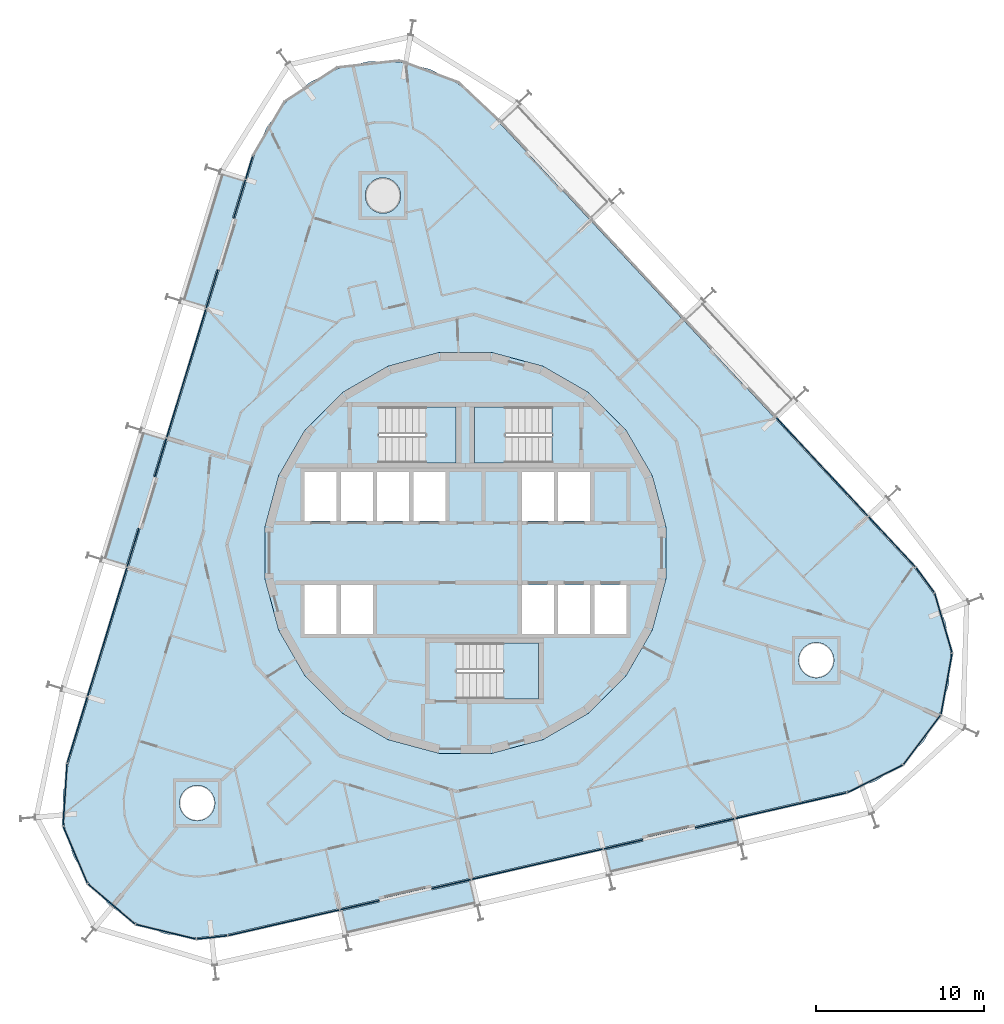
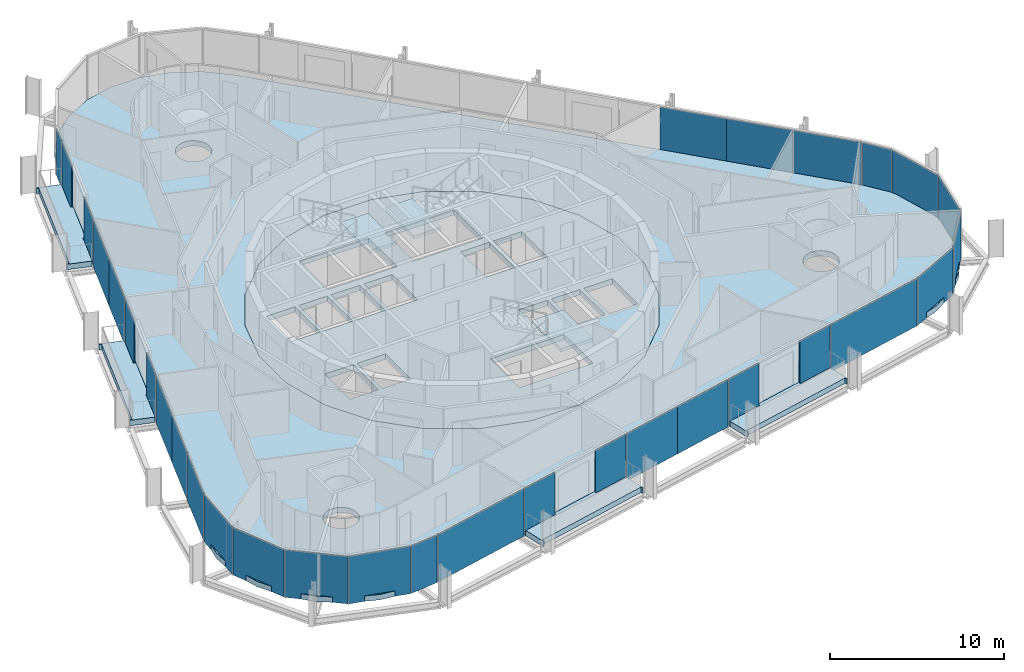
# One storey, part 10 of 18: 31 plates, 9 slabs, 9 elements without a shape of their own.
"""IFC4 building model written with IfcOpenShell, lengths in metres."""

from ifc_helpers import new_model, si_unit, direction, frame, origin, origin_2d, place, context, subcontext, project, spatial, polyline, rectangle, outline, extrude, material, layer, layer_set, type_object, element, aggregate, save


model = new_model("IFC4")

# Units and contexts
model_context = context("Model", 3, precision=1e-05, world=origin(), true_north=direction((0.0, 1.0)))
body_context = subcontext(model_context, "Body", "Model", "MODEL_VIEW")
ifc_project = project(units=[si_unit("LENGTHUNIT", "METRE"), si_unit("AREAUNIT", "SQUARE_METRE"), si_unit("VOLUMEUNIT", "CUBIC_METRE"), si_unit("PLANEANGLEUNIT", "RADIAN"), si_unit("MASSUNIT", "GRAM", prefix="KILO")], contexts=[model_context])

# Site, building, storey
site_placement = place(None, origin())
site = spatial("IfcSite", under=ifc_project, at=site_placement, CompositionType="ELEMENT")
building_placement = place(site_placement, origin())
building = spatial("IfcBuilding", under=site, at=building_placement, Name="Spindle Arch Residences", CompositionType="ELEMENT")
storey_placement = place(building_placement, frame((0.0, 0.0, 141.39990234375)))
storey = spatial("IfcBuildingStorey", under=building, at=storey_placement, Name="L35", CompositionType="ELEMENT", Elevation=141.39990234375)

# Slabs
ifc_material_1 = material(Name="Concrete C40/50", Category="concrete")
ifc_layer_1 = layer(ifc_material_1, 0.3798828125)
ifc_layer_set_1 = layer_set([ifc_layer_1], Name="Balcony slab 380")
slab_type_1 = type_object("IfcSlabType", Name="Balcony slab 380", PredefinedType="FLOOR", material=ifc_layer_set_1)
slab_1_placement = place(storey_placement, frame((0.0, 0.0, -0.3798828125)))
element("IfcSlab", 1, at=slab_1_placement, inside=storey, type_object=slab_type_1, Name="Balcony L35 bay 1", PredefinedType="FLOOR", context=body_context, shape_type="SweptSolid", body=[
    extrude(outline(polyline([(8.60546875, -19.094482421875), (8.678466796875, -19.07763671875), (8.644775390625, -18.931396484375), (16.17578125, -17.19287109375), (16.209716796875, -17.3388671875), (16.28271484375, -17.322021484375), (15.947509765625, -15.870361328125), (13.66796875, -16.396484375), (13.6318359375, -16.24072265625), (10.513916015625, -16.96044921875), (10.5498046875, -17.116455078125), (8.270263671875, -17.642578125), (8.60546875, -19.094482421875)])), origin(), (0.0, 0.0, 1.0), 0.3798828125),
])
slab_2_placement = place(storey_placement, frame((0.0, 0.0, -0.3798828125)))
element("IfcSlab", 2, at=slab_2_placement, inside=storey, type_object=slab_type_1, Name="Balcony L35 bay 13", PredefinedType="FLOOR", context=body_context, shape_type="SweptSolid", body=[
    extrude(outline(polyline([(-14.5791015625, 22.5703125), (-14.60107421875, 22.49853515625), (-14.45751953125, 22.45458984375), (-16.71728515625, 15.063232421875), (-16.86083984375, 15.107177734375), (-16.882568359375, 15.035400390625), (-15.457763671875, 14.599609375), (-14.773681640625, 16.837158203125), (-14.620849609375, 16.790283203125), (-13.68505859375, 19.8505859375), (-13.838134765625, 19.897216796875), (-13.154052734375, 22.134521484375), (-14.5791015625, 22.5703125)])), origin(), (0.0, 0.0, 1.0), 0.3798828125),
])
slab_3_placement = place(storey_placement, frame((0.0, 0.0, -0.3798828125)))
element("IfcSlab", 3, at=slab_3_placement, inside=storey, type_object=slab_type_1, Name="Balcony L35 bay 15", PredefinedType="FLOOR", context=body_context, shape_type="SweptSolid", body=[
    extrude(outline(polyline([(-19.27392578125, 7.213623046875), (-19.2958984375, 7.141845703125), (-19.152587890625, 7.097900390625), (-21.412353515625, -0.29345703125), (-21.5556640625, -0.24951171875), (-21.57763671875, -0.3212890625), (-20.15283203125, -0.7568359375), (-19.46875, 1.48046875), (-19.315673828125, 1.43359375), (-18.380126953125, 4.493896484375), (-18.533203125, 4.54052734375), (-17.84912109375, 6.77783203125), (-19.27392578125, 7.213623046875)])), origin(), (0.0, 0.0, 1.0), 0.3798828125),
])
slab_4_placement = place(storey_placement, frame((0.0, 0.0, -0.3798828125)))
element("IfcSlab", 4, at=slab_4_placement, inside=storey, type_object=slab_type_1, Name="Balcony L35 bay 21", PredefinedType="FLOOR", context=body_context, shape_type="SweptSolid", body=[
    extrude(outline(polyline([(-7.041259765625, -22.706787109375), (-6.96826171875, -22.68994140625), (-7.001953125, -22.543701171875), (0.529052734375, -20.80517578125), (0.562744140625, -20.951171875), (0.635986328125, -20.934326171875), (0.30078125, -19.482666015625), (-1.978759765625, -20.0087890625), (-2.014892578125, -19.85302734375), (-5.1328125, -20.57275390625), (-5.096923828125, -20.728759765625), (-7.37646484375, -21.255126953125), (-7.041259765625, -22.706787109375)])), origin(), (0.0, 0.0, 1.0), 0.3798828125),
])
ifc_material_2 = material(Name="Concrete C50/60", Category="concrete")
ifc_layer_2 = layer(ifc_material_2, 0.3798828125)
ifc_layer_set_2 = layer_set([ifc_layer_2], Name="Core floor slab 380")
slab_type_2 = type_object("IfcSlabType", Name="Core floor slab 380", PredefinedType="FLOOR", material=ifc_layer_set_2)
slab_5_placement = place(storey_placement, frame((0.0, 0.0, -0.3798828125)))
element("IfcSlab", 5, at=slab_5_placement, inside=storey, type_object=slab_type_2, Name="Core floor L35", PredefinedType="FLOOR", context=body_context, shape_type="SweptSolid", body=[
    extrude(outline(polyline([(1.56640625, -11.897216796875), (4.59228515625, -11.086669921875), (7.30517578125, -9.520263671875), (9.520263671875, -7.30517578125), (11.086669921875, -4.59228515625), (11.897216796875, -1.56640625), (11.897216796875, 1.56640625), (11.086669921875, 4.59228515625), (9.520263671875, 7.30517578125), (7.30517578125, 9.520263671875), (4.59228515625, 11.086669921875), (1.56640625, 11.897216796875), (-1.56640625, 11.897216796875), (-4.59228515625, 11.086669921875), (-7.30517578125, 9.520263671875), (-9.520263671875, 7.30517578125), (-11.086669921875, 4.59228515625), (-11.897216796875, 1.56640625), (-11.897216796875, -1.56640625), (-11.086669921875, -4.59228515625), (-9.520263671875, -7.30517578125), (-7.30517578125, -9.520263671875), (-4.59228515625, -11.086669921875), (-1.56640625, -11.897216796875), (1.56640625, -11.897216796875)]), holes=[polyline([(-9.550048828125, 1.89990234375), (-7.64990234375, 1.89990234375), (-7.64990234375, 4.800048828125), (-9.550048828125, 4.800048828125), (-9.550048828125, 1.89990234375)]), polyline([(-7.39990234375, 1.89990234375), (-5.5, 1.89990234375), (-5.5, 4.800048828125), (-7.39990234375, 4.800048828125), (-7.39990234375, 1.89990234375)]), polyline([(-5.25, 1.89990234375), (-3.35009765625, 1.89990234375), (-3.35009765625, 4.800048828125), (-5.25, 4.800048828125), (-5.25, 1.89990234375)]), polyline([(-3.10009765625, 1.89990234375), (-1.199951171875, 1.89990234375), (-1.199951171875, 4.800048828125), (-3.10009765625, 4.800048828125), (-3.10009765625, 1.89990234375)]), polyline([(3.35009765625, 1.89990234375), (5.25, 1.89990234375), (5.25, 4.800048828125), (3.35009765625, 4.800048828125), (3.35009765625, 1.89990234375)]), polyline([(5.5, 1.89990234375), (7.39990234375, 1.89990234375), (7.39990234375, 4.800048828125), (5.5, 4.800048828125), (5.5, 1.89990234375)]), polyline([(-9.550048828125, -4.800048828125), (-7.64990234375, -4.800048828125), (-7.64990234375, -1.89990234375), (-9.550048828125, -1.89990234375), (-9.550048828125, -4.800048828125)]), polyline([(-7.39990234375, -4.800048828125), (-5.5, -4.800048828125), (-5.5, -1.89990234375), (-7.39990234375, -1.89990234375), (-7.39990234375, -4.800048828125)]), polyline([(3.35009765625, -4.800048828125), (5.25, -4.800048828125), (5.25, -1.89990234375), (3.35009765625, -1.89990234375), (3.35009765625, -4.800048828125)]), polyline([(5.5, -4.800048828125), (7.39990234375, -4.800048828125), (7.39990234375, -1.89990234375), (5.5, -1.89990234375), (5.5, -4.800048828125)]), polyline([(7.64990234375, -4.800048828125), (9.550048828125, -4.800048828125), (9.550048828125, -1.89990234375), (7.64990234375, -1.89990234375), (7.64990234375, -4.800048828125)]), polyline([(5.1298828125, 8.669921875), (0.550048828125, 8.669921875), (0.550048828125, 5.35009765625), (5.1298828125, 5.35009765625), (5.1298828125, 8.669921875)]), polyline([(-5.1298828125, 5.35009765625), (-0.550048828125, 5.35009765625), (-0.550048828125, 8.669921875), (-5.1298828125, 8.669921875), (-5.1298828125, 5.35009765625)]), polyline([(-0.530029296875, -8.669921875), (4.35009765625, -8.669921875), (4.35009765625, -5.35009765625), (-0.530029296875, -5.35009765625), (-0.530029296875, -8.669921875)])]), origin(), (0.0, 0.0, 1.0), 0.3798828125),
])

# Stair, slab
ifc_material_3 = material(Name="Concrete C50/60", Category="concrete")
stair_type = type_object("IfcStairType", Name="Exit stair 16 risers", PredefinedType="HALF_TURN_STAIR", material=ifc_material_3)
stair_1_placement = place(storey_placement, origin())
stair_1 = element("IfcStair", 6, at=stair_1_placement, inside=storey, type_object=stair_type, Name="L35 Exit stair ST1", PredefinedType="HALF_TURN_STAIR")
ifc_material_4 = material(Name="Concrete C50/60", Category="concrete")
ifc_layer_3 = layer(ifc_material_4, 0.219970703125)
ifc_layer_set_3 = layer_set([ifc_layer_3], Name="Exit stair landing 220")
slab_type_3 = type_object("IfcSlabType", Name="Exit stair landing 220", PredefinedType="LANDING", material=ifc_layer_set_3)
slab_6_placement = place(storey_placement, frame((0.0, 0.0, 1.530029296875)))
slab_6 = element("IfcSlab", 7, at=slab_6_placement, type_object=slab_type_3, Name="ST1 landing 1", PredefinedType="LANDING", context=body_context, shape_type="SweptSolid", body=[
    extrude(outline(polyline([(2.3701171875, 8.669921875), (0.550048828125, 8.669921875), (0.550048828125, 5.35009765625), (2.3701171875, 5.35009765625), (2.3701171875, 8.669921875)])), origin(), (0.0, 0.0, 1.0), 0.219970703125),
])
aggregate(stair_1, [slab_6])

stair_2_placement = place(storey_placement, origin())
stair_2 = element("IfcStair", 8, at=stair_2_placement, inside=storey, type_object=stair_type, Name="L35 Exit stair ST2", PredefinedType="HALF_TURN_STAIR")
slab_7_placement = place(storey_placement, frame((0.0, 0.0, 1.530029296875)))
slab_7 = element("IfcSlab", 9, at=slab_7_placement, type_object=slab_type_3, Name="ST2 landing 1", PredefinedType="LANDING", context=body_context, shape_type="SweptSolid", body=[
    extrude(outline(polyline([(-2.3701171875, 5.35009765625), (-0.550048828125, 5.35009765625), (-0.550048828125, 8.669921875), (-2.3701171875, 8.669921875), (-2.3701171875, 5.35009765625)])), origin(), (0.0, 0.0, 1.0), 0.219970703125),
])
aggregate(stair_2, [slab_7])

stair_3_placement = place(storey_placement, origin())
stair_3 = element("IfcStair", 10, at=stair_3_placement, inside=storey, type_object=stair_type, Name="L35 Exit stair ST3", PredefinedType="HALF_TURN_STAIR")
slab_8_placement = place(storey_placement, frame((0.0, 0.0, 1.530029296875)))
slab_8 = element("IfcSlab", 11, at=slab_8_placement, type_object=slab_type_3, Name="ST3 landing 1", PredefinedType="LANDING", context=body_context, shape_type="SweptSolid", body=[
    extrude(outline(polyline([(2.22998046875, -8.669921875), (4.35009765625, -8.669921875), (4.35009765625, -5.35009765625), (2.22998046875, -5.35009765625), (2.22998046875, -8.669921875)])), origin(), (0.0, 0.0, 1.0), 0.219970703125),
])
aggregate(stair_3, [slab_8])

# Slab
ifc_material_5 = material(Name="Concrete C40/50", Category="concrete")
ifc_layer_4 = layer(ifc_material_5, 0.3798828125)
ifc_layer_set_4 = layer_set([ifc_layer_4], Name="Floor slab 380")
slab_type_4 = type_object("IfcSlabType", Name="Floor slab 380", PredefinedType="FLOOR", material=ifc_layer_set_4)
slab_9_placement = place(storey_placement, frame((0.0, 0.0, -0.3798828125)))
element("IfcSlab", 12, at=slab_9_placement, inside=storey, type_object=slab_type_4, Name="Floor slab L35", PredefinedType="FLOOR", context=body_context, shape_type="SweptSolid", body=[
    extrude(outline(polyline([(-15.976806640625, -22.85498046875), (-17.8203125, -22.628662109375), (-19.56201171875, -21.983154296875), (-21.108154296875, -20.95361328125), (-22.375, -19.594970703125), (-23.294189453125, -17.98095703125), (-23.816650390625, -16.198486328125), (-23.913818359375, -14.343505859375), (-23.58056640625, -12.51611328125), (-12.55029296875, 23.5625), (-11.8046875, 25.263916015625), (-10.686767578125, 26.747314453125), (-9.257080078125, 27.932861328125), (-7.59228515625, 28.7568359375), (-5.7822265625, 29.1748046875), (-3.9248046875, 29.163818359375), (-2.1201171875, 28.72509765625), (-0.465087890625, 27.881591796875), (0.950927734375, 26.679443359375), (26.680908203125, -0.912353515625), (27.781494140625, -2.40869140625), (28.507080078125, -4.11865234375), (28.819091796875, -5.94970703125), (28.7001953125, -7.803466796875), (28.1572265625, -9.57958984375), (27.218994140625, -11.182861328125), (25.9365234375, -12.526611328125), (24.37890625, -13.5380859375), (22.629638671875, -14.163330078125), (4.24951171875, -18.40673828125), (-14.130615234375, -22.650146484375), (-15.976806640625, -22.85498046875)]), holes=[polyline([(7.30517578125, -9.520263671875), (9.520263671875, -7.30517578125), (11.086669921875, -4.59228515625), (11.897216796875, -1.56640625), (11.897216796875, 1.56640625), (11.086669921875, 4.59228515625), (9.520263671875, 7.30517578125), (7.30517578125, 9.520263671875), (4.59228515625, 11.086669921875), (1.56640625, 11.897216796875), (-1.56640625, 11.897216796875), (-4.59228515625, 11.086669921875), (-7.30517578125, 9.520263671875), (-9.520263671875, 7.30517578125), (-11.086669921875, 4.59228515625), (-11.897216796875, 1.56640625), (-11.897216796875, -1.56640625), (-11.086669921875, -4.59228515625), (-9.520263671875, -7.30517578125), (-7.30517578125, -9.520263671875), (-4.59228515625, -11.086669921875), (-1.56640625, -11.897216796875), (1.56640625, -11.897216796875), (4.59228515625, -11.086669921875), (7.30517578125, -9.520263671875)]), polyline([(-15.187744140625, -15.59765625), (-15.05712890625, -15.4384765625), (-14.960205078125, -15.257080078125), (-14.900390625, -15.06005859375), (-14.880126953125, -14.855224609375), (-14.900390625, -14.650390625), (-14.960205078125, -14.453369140625), (-15.05712890625, -14.27197265625), (-15.187744140625, -14.11279296875), (-15.346923828125, -13.982177734375), (-15.5283203125, -13.885009765625), (-15.725341796875, -13.825439453125), (-15.93017578125, -13.80517578125), (-16.135009765625, -13.825439453125), (-16.33203125, -13.885009765625), (-16.513427734375, -13.982177734375), (-16.672607421875, -14.11279296875), (-16.80322265625, -14.27197265625), (-16.900390625, -14.453369140625), (-16.9599609375, -14.650390625), (-16.980224609375, -14.855224609375), (-16.9599609375, -15.06005859375), (-16.900390625, -15.257080078125), (-16.80322265625, -15.4384765625), (-16.672607421875, -15.59765625), (-16.513427734375, -15.728271484375), (-16.33203125, -15.8251953125), (-16.135009765625, -15.885009765625), (-15.93017578125, -15.9052734375), (-15.725341796875, -15.885009765625), (-15.5283203125, -15.8251953125), (-15.346923828125, -15.728271484375), (-15.187744140625, -15.59765625)]), polyline([(-4.02685546875, 20.64013671875), (-3.9296875, 20.82177734375), (-3.8701171875, 21.018798828125), (-3.849853515625, 21.223388671875), (-3.8701171875, 21.42822265625), (-3.9296875, 21.625244140625), (-4.02685546875, 21.806884765625), (-4.1572265625, 21.966064453125), (-4.31640625, 22.096435546875), (-4.498046875, 22.193603515625), (-4.695068359375, 22.25341796875), (-4.89990234375, 22.2734375), (-5.1044921875, 22.25341796875), (-5.301513671875, 22.193603515625), (-5.483154296875, 22.096435546875), (-5.642333984375, 21.966064453125), (-5.772705078125, 21.806884765625), (-5.869873046875, 21.625244140625), (-5.9296875, 21.42822265625), (-5.94970703125, 21.223388671875), (-5.9296875, 21.018798828125), (-5.869873046875, 20.82177734375), (-5.772705078125, 20.64013671875), (-5.642333984375, 20.48095703125), (-5.483154296875, 20.3505859375), (-5.301513671875, 20.25341796875), (-5.1044921875, 20.193603515625), (-4.89990234375, 20.173583984375), (-4.695068359375, 20.193603515625), (-4.498046875, 20.25341796875), (-4.31640625, 20.3505859375), (-4.1572265625, 20.48095703125), (-4.02685546875, 20.64013671875)]), polyline([(21.702880859375, -6.95166015625), (21.800048828125, -6.770263671875), (21.85986328125, -6.5732421875), (21.8798828125, -6.368408203125), (21.85986328125, -6.16357421875), (21.800048828125, -5.966552734375), (21.702880859375, -5.78515625), (21.572509765625, -5.6259765625), (21.413330078125, -5.495361328125), (21.231689453125, -5.398193359375), (21.034912109375, -5.338623046875), (20.830078125, -5.318359375), (20.625244140625, -5.338623046875), (20.42822265625, -5.398193359375), (20.24658203125, -5.495361328125), (20.08740234375, -5.6259765625), (19.95703125, -5.78515625), (19.85986328125, -5.966552734375), (19.80029296875, -6.16357421875), (19.780029296875, -6.368408203125), (19.80029296875, -6.5732421875), (19.85986328125, -6.770263671875), (19.95703125, -6.95166015625), (20.08740234375, -7.11083984375), (20.24658203125, -7.241455078125), (20.42822265625, -7.33837890625), (20.625244140625, -7.398193359375), (20.830078125, -7.41845703125), (21.034912109375, -7.398193359375), (21.231689453125, -7.33837890625), (21.413330078125, -7.241455078125), (21.572509765625, -7.11083984375), (21.702880859375, -6.95166015625)])]), origin(), (0.0, 0.0, 1.0), 0.3798828125),
])

# Curtain wall, plates
ifc_material_6 = material(Name="Aluminium bronze unitised frame with tinted glass", Category="aluminium")
ifc_layer_5 = layer(ifc_material_6, 0.159912109375)
ifc_layer_set_5 = layer_set([ifc_layer_5], Name="CW-D corner wall on the fillet arcs")
curtain_wall_type_1 = type_object("IfcCurtainWallType", Name="CW-D corner wall on the fillet arcs", PredefinedType="NOTDEFINED", material=ifc_layer_set_5)
curtain_wall_1_placement = place(storey_placement, origin())
curtain_wall_1 = element("IfcCurtainWall", 13, at=curtain_wall_1_placement, inside=storey, type_object=curtain_wall_type_1, Name="CW-D L35 run 1", PredefinedType="NOTDEFINED")
ifc_material_7 = material(Name="Tinted double glazing over aluminium faced non-combustible spandrel zone (K0)", Category="aluminium")
ifc_layer_6 = layer(ifc_material_7, 0.06005859375)
ifc_layer_set_6 = layer_set([ifc_layer_6], Name="Unitised glass panel with E 60 spandrel zone")
plate_type = type_object("IfcPlateType", Name="Unitised glass panel with E 60 spandrel zone", PredefinedType="CURTAIN_PANEL", material=ifc_layer_set_6)
plate_1_placement = place(storey_placement, frame((19.3251953125, -15.00830078125, -0.3798828125), z_axis=(0.0, 0.0, 1.0), x_axis=(0.974370064785, 0.224951054344, 0.0)))
plate_1 = element("IfcPlate", 14, at=plate_1_placement, type_object=plate_type, Name="CW-D unit 00", PredefinedType="CURTAIN_PANEL", context=body_context, shape_type="SweptSolid", body=[
    extrude(rectangle(XDim=6.759765625, YDim=0.06005859375, at=origin_2d()), origin(), (0.0, 0.0, 1.0), 3.31005859375),
])
plate_2_placement = place(storey_placement, frame((24.317626953125, -13.414794921875, -0.3798828125), z_axis=(0.0, 0.0, 1.0), x_axis=(0.896228507614, 0.443592675931, 0.0)))
plate_2 = element("IfcPlate", 15, at=plate_2_placement, type_object=plate_type, Name="CW-D unit 01", PredefinedType="CURTAIN_PANEL", context=body_context, shape_type="SweptSolid", body=[
    extrude(rectangle(XDim=3.666748046875, YDim=0.06005859375, at=origin_2d()), origin(), (0.0, 0.0, 1.0), 3.31005859375),
])
plate_3_placement = place(storey_placement, frame((27.109130859375, -11.099853515625, -0.3798828125), z_axis=(0.0, 0.0, 1.0), x_axis=(0.601815021814, 0.798635511056, 0.0)))
plate_3 = element("IfcPlate", 16, at=plate_3_placement, type_object=plate_type, Name="CW-D unit 02", PredefinedType="CURTAIN_PANEL", context=body_context, shape_type="SweptSolid", body=[
    extrude(rectangle(XDim=3.666748046875, YDim=0.06005859375, at=origin_2d()), origin(), (0.0, 0.0, 1.0), 3.31005859375),
])
plate_4_placement = place(storey_placement, frame((28.564697265625, -7.778564453125, -0.3798828125), z_axis=(0.0, 0.0, 1.0), x_axis=(0.17937458782, 0.983780848179, 0.0)))
plate_4 = element("IfcPlate", 17, at=plate_4_placement, type_object=plate_type, Name="CW-D unit 03", PredefinedType="CURTAIN_PANEL", context=body_context, shape_type="SweptSolid", body=[
    extrude(rectangle(XDim=3.666748046875, YDim=0.06005859375, at=origin_2d()), origin(), (0.0, 0.0, 1.0), 3.31005859375),
])
plate_5_placement = place(storey_placement, frame((28.375, -4.1572265625, -0.3798828125), z_axis=(0.0, 0.0, 1.0), x_axis=(-0.281225052549, 0.959641844554, 0.0)))
plate_5 = element("IfcPlate", 18, at=plate_5_placement, type_object=plate_type, Name="CW-D unit 04", PredefinedType="CURTAIN_PANEL", context=body_context, shape_type="SweptSolid", body=[
    extrude(rectangle(XDim=3.666748046875, YDim=0.06005859375, at=origin_2d()), origin(), (0.0, 0.0, 1.0), 3.31005859375),
])
plate_6_placement = place(storey_placement, frame((27.295166015625, -1.613525390625, -0.3798828125), z_axis=(0.0, 0.0, 1.0), x_axis=(-0.592481951039, 0.805583724819, 0.0)))
plate_6 = element("IfcPlate", 19, at=plate_6_placement, type_object=plate_type, Name="CW-D unit 05", PredefinedType="CURTAIN_PANEL", context=body_context, shape_type="SweptSolid", body=[
    extrude(rectangle(XDim=1.816162109375, YDim=0.06005859375, at=origin_2d()), origin(), (0.0, 0.0, 1.0), 3.31005859375),
])
plate_7_placement = place(storey_placement, frame((25.326416015625, 0.6572265625, -0.3798828125), z_axis=(0.0, 0.0, 1.0), x_axis=(-0.681998360062, 0.731353701619, 0.0)))
plate_7 = element("IfcPlate", 20, at=plate_7_placement, type_object=plate_type, Name="CW-D unit 06", PredefinedType="CURTAIN_PANEL", context=body_context, shape_type="SweptSolid", body=[
    extrude(rectangle(XDim=4.08349609375, YDim=0.06005859375, at=origin_2d()), origin(), (0.0, 0.0, 1.0), 3.31005859375),
])
aggregate(curtain_wall_1, [plate_1, plate_2, plate_3, plate_4, plate_5, plate_6, plate_7])

ifc_material_8 = material(Name="Aluminium bronze unitised frame with tinted glass", Category="aluminium")
ifc_layer_7 = layer(ifc_material_8, 0.159912109375)
ifc_layer_set_7 = layer_set([ifc_layer_7], Name="CW-C typical residential unitised wall")
curtain_wall_type_2 = type_object("IfcCurtainWallType", Name="CW-C typical residential unitised wall", PredefinedType="NOTDEFINED", material=ifc_layer_set_7)
curtain_wall_2_placement = place(storey_placement, origin())
curtain_wall_2 = element("IfcCurtainWall", 21, at=curtain_wall_2_placement, inside=storey, type_object=curtain_wall_type_2, Name="CW-C L35 run 2", PredefinedType="NOTDEFINED")
plate_8_placement = place(storey_placement, frame((22.534423828125, 3.651611328125, -0.3798828125), z_axis=(0.0, 0.0, 1.0), x_axis=(-0.681998360062, 0.731353701619, 0.0)))
plate_8 = element("IfcPlate", 22, at=plate_8_placement, type_object=plate_type, Name="CW-C unit 05A", PredefinedType="CURTAIN_PANEL", context=body_context, shape_type="SweptSolid", body=[
    extrude(rectangle(XDim=3.984619140625, YDim=0.06005859375, at=origin_2d()), origin(), (0.0, 0.0, 1.0), 3.31005859375),
])
plate_9_placement = place(storey_placement, frame((19.81689453125, 6.565673828125, -0.3798828125), z_axis=(0.0, 0.0, 1.0), x_axis=(-0.681998360062, 0.731353701619, 0.0)))
plate_9 = element("IfcPlate", 23, at=plate_9_placement, type_object=plate_type, Name="CW-C unit 05B", PredefinedType="CURTAIN_PANEL", context=body_context, shape_type="SweptSolid", body=[
    extrude(rectangle(XDim=3.984619140625, YDim=0.06005859375, at=origin_2d()), origin(), (0.0, 0.0, 1.0), 3.31005859375),
])
aggregate(curtain_wall_2, [plate_8, plate_9])

# Curtain wall, plate
curtain_wall_3_placement = place(storey_placement, origin())
curtain_wall_3 = element("IfcCurtainWall", 24, at=curtain_wall_3_placement, inside=storey, type_object=curtain_wall_type_1, Name="CW-D L35 run 3", PredefinedType="NOTDEFINED")
plate_10_placement = place(storey_placement, frame((-12.84130859375, 22.884521484375, -0.3798828125), z_axis=(0.0, 0.0, 1.0), x_axis=(-0.292371704723, -0.956304755963, 0.0)))
plate_10 = element("IfcPlate", 25, at=plate_10_placement, type_object=plate_type, Name="CW-D unit 05", PredefinedType="CURTAIN_PANEL", context=body_context, shape_type="SweptSolid", body=[
    extrude(rectangle(XDim=1.406982421875, YDim=0.06005859375, at=origin_2d()), origin(), (0.0, 0.0, 1.0), 3.31005859375),
])
aggregate(curtain_wall_3, [plate_10])

# Curtain wall, plates
curtain_wall_4_placement = place(storey_placement, origin())
curtain_wall_4 = element("IfcCurtainWall", 26, at=curtain_wall_4_placement, inside=storey, type_object=curtain_wall_type_2, Name="CW-C L35 run 4", PredefinedType="NOTDEFINED")
plate_11_placement = place(storey_placement, frame((-13.4130859375, 21.01416015625, -0.3798828125), z_axis=(0.0, 0.0, 1.0), x_axis=(-0.292371704723, -0.956304755963, 0.0)))
plate_11 = element("IfcPlate", 27, at=plate_11_placement, type_object=plate_type, Name="CW-C unit 12L", PredefinedType="CURTAIN_PANEL", context=body_context, shape_type="SweptSolid", body=[
    extrude(rectangle(XDim=2.384521484375, YDim=0.06005859375, at=origin_2d()), origin(), (0.0, 0.0, 1.0), 3.31005859375),
])
plate_12_placement = place(storey_placement, frame((-15.0458984375, 15.673583984375, -0.3798828125), z_axis=(0.0, 0.0, 1.0), x_axis=(-0.292371704723, -0.956304755963, 0.0)))
plate_12 = element("IfcPlate", 28, at=plate_12_placement, type_object=plate_type, Name="CW-C unit 12R", PredefinedType="CURTAIN_PANEL", context=body_context, shape_type="SweptSolid", body=[
    extrude(rectangle(XDim=2.384521484375, YDim=0.06005859375, at=origin_2d()), origin(), (0.0, 0.0, 1.0), 3.31005859375),
])
plate_13_placement = place(storey_placement, frame((-15.994384765625, 12.57080078125, -0.3798828125), z_axis=(0.0, 0.0, 1.0), x_axis=(-0.292371704723, -0.956304755963, 0.0)))
plate_13 = element("IfcPlate", 29, at=plate_13_placement, type_object=plate_type, Name="CW-C unit 13A", PredefinedType="CURTAIN_PANEL", context=body_context, shape_type="SweptSolid", body=[
    extrude(rectangle(XDim=3.984619140625, YDim=0.06005859375, at=origin_2d()), origin(), (0.0, 0.0, 1.0), 3.31005859375),
])
plate_14_placement = place(storey_placement, frame((-17.159423828125, 8.76025390625, -0.3798828125), z_axis=(0.0, 0.0, 1.0), x_axis=(-0.292371704723, -0.956304755963, 0.0)))
plate_14 = element("IfcPlate", 30, at=plate_14_placement, type_object=plate_type, Name="CW-C unit 13B", PredefinedType="CURTAIN_PANEL", context=body_context, shape_type="SweptSolid", body=[
    extrude(rectangle(XDim=3.984619140625, YDim=0.06005859375, at=origin_2d()), origin(), (0.0, 0.0, 1.0), 3.31005859375),
])
plate_15_placement = place(storey_placement, frame((-18.108154296875, 5.657470703125, -0.3798828125), z_axis=(0.0, 0.0, 1.0), x_axis=(-0.292371704723, -0.956304755963, 0.0)))
plate_15 = element("IfcPlate", 31, at=plate_15_placement, type_object=plate_type, Name="CW-C unit 14L", PredefinedType="CURTAIN_PANEL", context=body_context, shape_type="SweptSolid", body=[
    extrude(rectangle(XDim=2.384521484375, YDim=0.06005859375, at=origin_2d()), origin(), (0.0, 0.0, 1.0), 3.31005859375),
])
plate_16_placement = place(storey_placement, frame((-19.740966796875, 0.31689453125, -0.3798828125), z_axis=(0.0, 0.0, 1.0), x_axis=(-0.292371704723, -0.956304755963, 0.0)))
plate_16 = element("IfcPlate", 32, at=plate_16_placement, type_object=plate_type, Name="CW-C unit 14R", PredefinedType="CURTAIN_PANEL", context=body_context, shape_type="SweptSolid", body=[
    extrude(rectangle(XDim=2.384521484375, YDim=0.06005859375, at=origin_2d()), origin(), (0.0, 0.0, 1.0), 3.31005859375),
])
plate_17_placement = place(storey_placement, frame((-20.689453125, -2.785888671875, -0.3798828125), z_axis=(0.0, 0.0, 1.0), x_axis=(-0.292371704723, -0.956304755963, 0.0)))
plate_17 = element("IfcPlate", 33, at=plate_17_placement, type_object=plate_type, Name="CW-C unit 15A", PredefinedType="CURTAIN_PANEL", context=body_context, shape_type="SweptSolid", body=[
    extrude(rectangle(XDim=3.984619140625, YDim=0.06005859375, at=origin_2d()), origin(), (0.0, 0.0, 1.0), 3.31005859375),
])
plate_18_placement = place(storey_placement, frame((-21.8544921875, -6.596435546875, -0.3798828125), z_axis=(0.0, 0.0, 1.0), x_axis=(-0.292371704723, -0.956304755963, 0.0)))
plate_18 = element("IfcPlate", 34, at=plate_18_placement, type_object=plate_type, Name="CW-C unit 15B", PredefinedType="CURTAIN_PANEL", context=body_context, shape_type="SweptSolid", body=[
    extrude(rectangle(XDim=3.984619140625, YDim=0.06005859375, at=origin_2d()), origin(), (0.0, 0.0, 1.0), 3.31005859375),
])
aggregate(curtain_wall_4, [plate_11, plate_12, plate_13, plate_14, plate_15, plate_16, plate_17, plate_18])

curtain_wall_5_placement = place(storey_placement, origin())
curtain_wall_5 = element("IfcCurtainWall", 35, at=curtain_wall_5_placement, inside=storey, type_object=curtain_wall_type_1, Name="CW-D L35 run 5", PredefinedType="NOTDEFINED")
plate_19_placement = place(storey_placement, frame((-23.051513671875, -10.511474609375, -0.3798828125), z_axis=(0.0, 0.0, 1.0), x_axis=(-0.292371704723, -0.956304755963, 0.0)))
plate_19 = element("IfcPlate", 36, at=plate_19_placement, type_object=plate_type, Name="CW-D unit 00", PredefinedType="CURTAIN_PANEL", context=body_context, shape_type="SweptSolid", body=[
    extrude(rectangle(XDim=4.08349609375, YDim=0.06005859375, at=origin_2d()), origin(), (0.0, 0.0, 1.0), 3.31005859375),
])
plate_20_placement = place(storey_placement, frame((-23.7763671875, -14.352294921875, -0.3798828125), z_axis=(0.0, 0.0, 1.0), x_axis=(-0.063951729226, -0.997952993046, 0.0)))
plate_20 = element("IfcPlate", 37, at=plate_20_placement, type_object=plate_type, Name="CW-D unit 01", PredefinedType="CURTAIN_PANEL", context=body_context, shape_type="SweptSolid", body=[
    extrude(rectangle(XDim=3.666748046875, YDim=0.06005859375, at=origin_2d()), origin(), (0.0, 0.0, 1.0), 3.31005859375),
])
plate_21_placement = place(storey_placement, frame((-23.16748046875, -17.92724609375, -0.3798828125), z_axis=(0.0, 0.0, 1.0), x_axis=(0.390731127124, -0.920504854032, 0.0)))
plate_21 = element("IfcPlate", 38, at=plate_21_placement, type_object=plate_type, Name="CW-D unit 02", PredefinedType="CURTAIN_PANEL", context=body_context, shape_type="SweptSolid", body=[
    extrude(rectangle(XDim=3.666748046875, YDim=0.06005859375, at=origin_2d()), origin(), (0.0, 0.0, 1.0), 3.31005859375),
])
plate_22_placement = place(storey_placement, frame((-21.018798828125, -20.848388671875, -0.3798828125), z_axis=(0.0, 0.0, 1.0), x_axis=(0.762291912042, -0.647233374321, 0.0)))
plate_22 = element("IfcPlate", 39, at=plate_22_placement, type_object=plate_type, Name="CW-D unit 03", PredefinedType="CURTAIN_PANEL", context=body_context, shape_type="SweptSolid", body=[
    extrude(rectangle(XDim=3.666748046875, YDim=0.06005859375, at=origin_2d()), origin(), (0.0, 0.0, 1.0), 3.31005859375),
])
plate_23_placement = place(storey_placement, frame((-17.787841796875, -22.49462890625, -0.3798828125), z_axis=(0.0, 0.0, 1.0), x_axis=(0.971686742139, -0.23627288281, 0.0)))
plate_23 = element("IfcPlate", 40, at=plate_23_placement, type_object=plate_type, Name="CW-D unit 04", PredefinedType="CURTAIN_PANEL", context=body_context, shape_type="SweptSolid", body=[
    extrude(rectangle(XDim=3.666748046875, YDim=0.06005859375, at=origin_2d()), origin(), (0.0, 0.0, 1.0), 3.31005859375),
])
plate_24_placement = place(storey_placement, frame((-15.044921875, -22.83154296875, -0.3798828125), z_axis=(0.0, 0.0, 1.0), x_axis=(0.993896946542, 0.110312554381, 0.0)))
plate_24 = element("IfcPlate", 41, at=plate_24_placement, type_object=plate_type, Name="CW-D unit 05", PredefinedType="CURTAIN_PANEL", context=body_context, shape_type="SweptSolid", body=[
    extrude(rectangle(XDim=1.816162109375, YDim=0.06005859375, at=origin_2d()), origin(), (0.0, 0.0, 1.0), 3.31005859375),
])
plate_25_placement = place(storey_placement, frame((-10.7900390625, -21.9609375, -0.3798828125), z_axis=(0.0, 0.0, 1.0), x_axis=(0.974370064785, 0.224951054344, 0.0)))
plate_25 = element("IfcPlate", 42, at=plate_25_placement, type_object=plate_type, Name="CW-D unit 06", PredefinedType="CURTAIN_PANEL", context=body_context, shape_type="SweptSolid", body=[
    extrude(rectangle(XDim=6.759765625, YDim=0.06005859375, at=origin_2d()), origin(), (0.0, 0.0, 1.0), 3.31005859375),
])
aggregate(curtain_wall_5, [plate_19, plate_20, plate_21, plate_22, plate_23, plate_24, plate_25])

curtain_wall_6_placement = place(storey_placement, origin())
curtain_wall_6 = element("IfcCurtainWall", 43, at=curtain_wall_6_placement, inside=storey, type_object=curtain_wall_type_2, Name="CW-C L35 run 6", PredefinedType="NOTDEFINED")
plate_26_placement = place(storey_placement, frame((-6.276611328125, -20.9189453125, -0.3798828125), z_axis=(0.0, 0.0, 1.0), x_axis=(0.974370064785, 0.224951054344, 0.0)))
plate_26 = element("IfcPlate", 44, at=plate_26_placement, type_object=plate_type, Name="CW-C unit 20L", PredefinedType="CURTAIN_PANEL", context=body_context, shape_type="SweptSolid", body=[
    extrude(rectangle(XDim=2.384521484375, YDim=0.06005859375, at=origin_2d()), origin(), (0.0, 0.0, 1.0), 3.31005859375),
])
plate_27_placement = place(storey_placement, frame((-0.835205078125, -19.66259765625, -0.3798828125), z_axis=(0.0, 0.0, 1.0), x_axis=(0.974370064785, 0.224951054344, 0.0)))
plate_27 = element("IfcPlate", 45, at=plate_27_placement, type_object=plate_type, Name="CW-C unit 20R", PredefinedType="CURTAIN_PANEL", context=body_context, shape_type="SweptSolid", body=[
    extrude(rectangle(XDim=2.384521484375, YDim=0.06005859375, at=origin_2d()), origin(), (0.0, 0.0, 1.0), 3.31005859375),
])
plate_28_placement = place(storey_placement, frame((2.326416015625, -18.932861328125, -0.3798828125), z_axis=(0.0, 0.0, 1.0), x_axis=(0.974370064785, 0.224951054344, 0.0)))
plate_28 = element("IfcPlate", 46, at=plate_28_placement, type_object=plate_type, Name="CW-C unit 21A", PredefinedType="CURTAIN_PANEL", context=body_context, shape_type="SweptSolid", body=[
    extrude(rectangle(XDim=3.984619140625, YDim=0.06005859375, at=origin_2d()), origin(), (0.0, 0.0, 1.0), 3.31005859375),
])
plate_29_placement = place(storey_placement, frame((6.208740234375, -18.03662109375, -0.3798828125), z_axis=(0.0, 0.0, 1.0), x_axis=(0.974370064785, 0.224951054344, 0.0)))
plate_29 = element("IfcPlate", 47, at=plate_29_placement, type_object=plate_type, Name="CW-C unit 21B", PredefinedType="CURTAIN_PANEL", context=body_context, shape_type="SweptSolid", body=[
    extrude(rectangle(XDim=3.984619140625, YDim=0.06005859375, at=origin_2d()), origin(), (0.0, 0.0, 1.0), 3.31005859375),
])
plate_30_placement = place(storey_placement, frame((9.3701171875, -17.306640625, -0.3798828125), z_axis=(0.0, 0.0, 1.0), x_axis=(0.974370064785, 0.224951054344, 0.0)))
plate_30 = element("IfcPlate", 48, at=plate_30_placement, type_object=plate_type, Name="CW-C unit 00L", PredefinedType="CURTAIN_PANEL", context=body_context, shape_type="SweptSolid", body=[
    extrude(rectangle(XDim=2.384521484375, YDim=0.06005859375, at=origin_2d()), origin(), (0.0, 0.0, 1.0), 3.31005859375),
])
plate_31_placement = place(storey_placement, frame((14.8115234375, -16.05029296875, -0.3798828125), z_axis=(0.0, 0.0, 1.0), x_axis=(0.974370064785, 0.224951054344, 0.0)))
plate_31 = element("IfcPlate", 49, at=plate_31_placement, type_object=plate_type, Name="CW-C unit 00R", PredefinedType="CURTAIN_PANEL", context=body_context, shape_type="SweptSolid", body=[
    extrude(rectangle(XDim=2.384521484375, YDim=0.06005859375, at=origin_2d()), origin(), (0.0, 0.0, 1.0), 3.31005859375),
])
aggregate(curtain_wall_6, [plate_26, plate_27, plate_28, plate_29, plate_30, plate_31])

save(model, "model.ifc")
